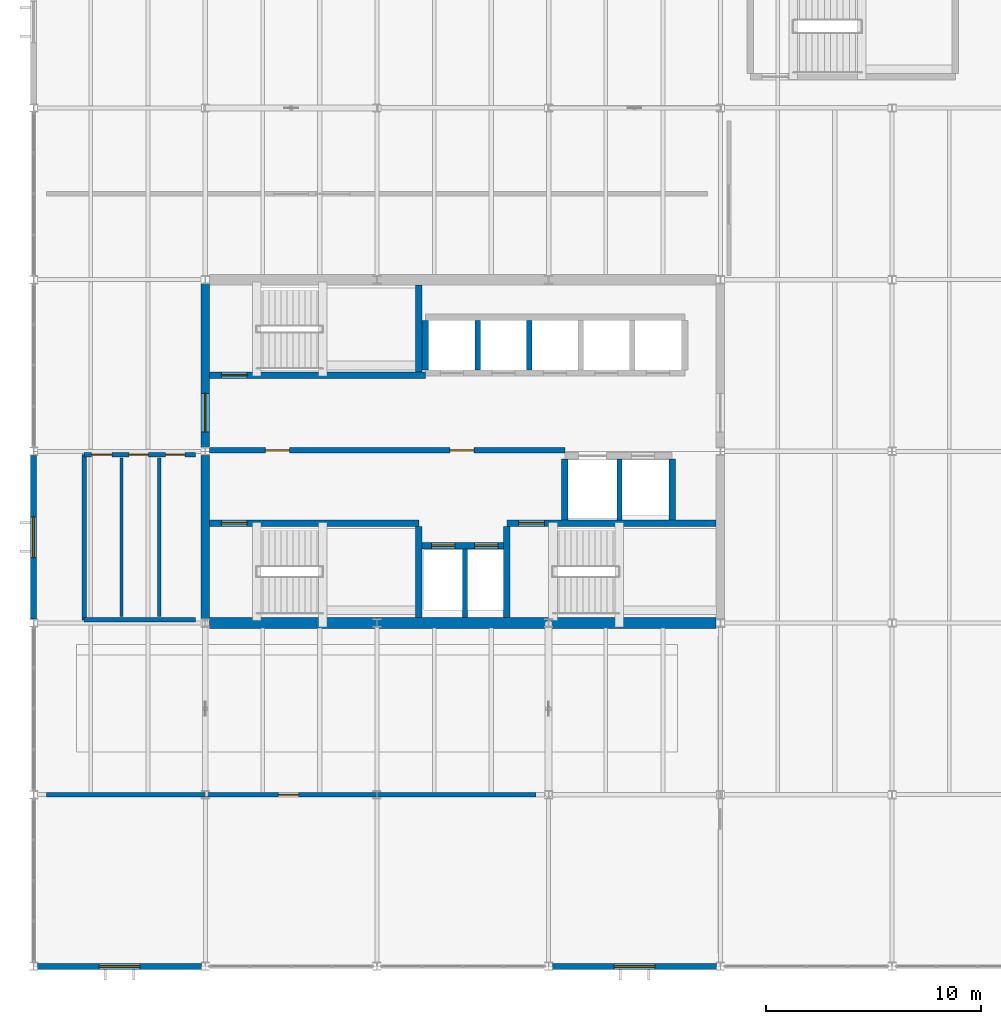
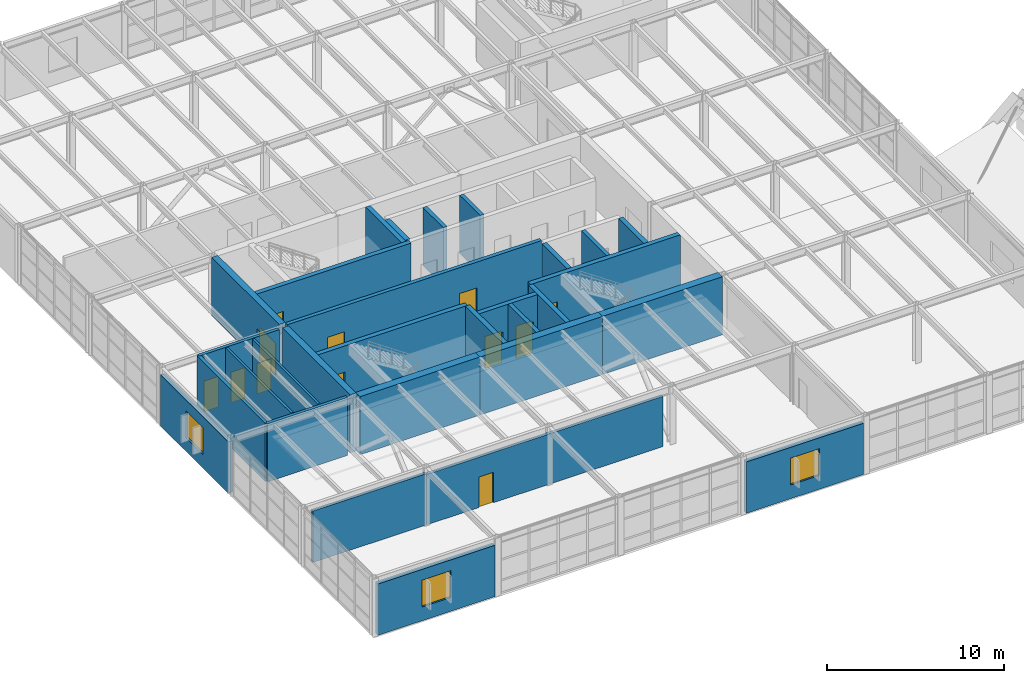
# One storey, part 42 of 50: 30 walls, 12 doors, 3 windows, 15 openings.
"""IFC4 building model written with IfcOpenShell, lengths in metres."""

from ifc_helpers import new_model, si_unit, direction, frame, frame_2d, origin, place, context, subcontext, project, spatial, rectangle, extrude, material, layer, layer_set, type_object, element, fill, save


model = new_model("IFC4")

# Units and contexts
model_context = context("Model", 3, precision=1e-05, world=origin(), true_north=direction((0.0, 1.0)))
body_context = subcontext(model_context, "Body", "Model", "MODEL_VIEW")
ifc_project = project(units=[si_unit("LENGTHUNIT", "METRE"), si_unit("AREAUNIT", "SQUARE_METRE"), si_unit("VOLUMEUNIT", "CUBIC_METRE"), si_unit("PLANEANGLEUNIT", "RADIAN"), si_unit("MASSUNIT", "GRAM", prefix="KILO")], contexts=[model_context])

# Site, building, storey
site_placement = place(None, origin())
site = spatial("IfcSite", under=ifc_project, at=site_placement, CompositionType="ELEMENT")
building_placement = place(site_placement, origin())
building = spatial("IfcBuilding", under=site, at=building_placement, Name="Varnela Railside Interchange", CompositionType="ELEMENT")
storey_placement = place(building_placement, frame((0.0, 0.0, 15.39990234375)))
storey = spatial("IfcBuildingStorey", under=building, at=storey_placement, Name="L03", CompositionType="ELEMENT", Elevation=15.39990234375)

# Walls
ifc_material_1 = material(Name="Gypsum acoustic board")
ifc_layer_1 = layer(ifc_material_1, 0.14990234375)
ifc_layer_set_1 = layer_set([ifc_layer_1], Name="Gypsum acoustic board")
wall_type_1 = type_object("IfcWallType", Name="Acoustic Drywall Partition IW-01", PredefinedType="PARTITIONING", material=ifc_layer_set_1)
for number, where, z_axis, x_axis, name in (
    (1, (8.10009765625, 54.300048828125, 0.0), (0.0, 0.0, 1.0), (0.0, 1.0, 0.0), "Acoustic Drywall Partition IW-01 (L03) (WL-0825)"),
    (2, (9.85009765625, 54.300048828125, 0.0), (0.0, 0.0, 1.0), (0.0, 1.0, 0.0), "Acoustic Drywall Partition IW-01 (L03) (WL-0826)"),
):
    element("IfcWall", number, at=place(storey_placement, frame(where, z_axis=z_axis, x_axis=x_axis)), inside=storey, type_object=wall_type_1, Name=name, PredefinedType="PARTITIONING", context=body_context, shape_type="SweptSolid", body=[
        extrude(rectangle(XDim=7.39990234375, YDim=0.14990234375, at=frame_2d((3.699951171875, 0.0))), origin(), (0.0, 0.0, 1.0), 4.0),
    ])
ifc_material_2 = material(Name="Concrete C50", Category="concrete")
ifc_layer_2 = layer(ifc_material_2, 0.39990234375)
ifc_layer_set_2 = layer_set([ifc_layer_2], Name="Concrete C50")
wall_type_2 = type_object("IfcWallType", Name="Core Coupling Shear Wall SW-02", PredefinedType="SHEAR", material=ifc_layer_set_2)
wall_1_placement = place(storey_placement, frame((12.0, 54.1875, 0.0), z_axis=(0.0, 0.0, 1.0), x_axis=(0.0, 1.0, 0.0)))
element("IfcWall", 3, at=wall_1_placement, inside=storey, type_object=wall_type_2, Name="Core Coupling Shear Wall SW-02 (L03) (WL-0787)", PredefinedType="SHEAR", context=body_context, shape_type="SweptSolid", body=[
    extrude(rectangle(XDim=7.625, YDim=0.39990234375, at=frame_2d((3.8125, 0.0))), origin(), (0.0, 0.0, 1.0), 4.0),
])

# Wall, opening, door
wall_2_placement = place(storey_placement, frame((12.0, 62.1875, 0.0), z_axis=(0.0, 0.0, 1.0), x_axis=(0.0, 1.0, 0.0)))
wall_2 = element("IfcWall", 4, at=wall_2_placement, inside=storey, type_object=wall_type_2, Name="Core Coupling Shear Wall SW-02 (L03) (WL-0788)", PredefinedType="SHEAR", context=body_context, shape_type="SweptSolid", body=[
    extrude(rectangle(XDim=7.625, YDim=0.39990234375, at=frame_2d((3.8125, 0.0))), origin(), (0.0, 0.0, 1.0), 4.0),
])
opening_1_placement = place(wall_2_placement, frame((0.7119140625, 0.0, 0.0)))
opening_1 = element("IfcOpeningElement", 5, at=opening_1_placement, cuts=wall_2, Name="Opening D-241", PredefinedType="OPENING", context=body_context, shape_type="SweptSolid", body=[
    extrude(rectangle(XDim=1.800048828125, YDim=2.199951171875, at=frame_2d((0.89990234375, 1.10009765625))), frame((0.0, 0.2099609375, 0.0), z_axis=(0.0, -1.0, 0.0), x_axis=(1.0, 0.0, 0.0)), (0.0, 0.0, 1.0), 0.419921875),
])
ifc_material_3 = material(Name="Steel AR 350 (350 MPa)", Category="steel")
door_type_1 = type_object("IfcDoorType", Name="DR-DBL-1800-FD60", OperationType="DOUBLE_DOOR_SINGLE_SWING", PredefinedType="DOOR", material=ifc_material_3)
door_1_placement = place(opening_1_placement, frame((1.800048828125, 0.0, 0.0), z_axis=(0.0, 0.0, 1.0), x_axis=(-1.0, 0.0, 0.0)))
door_1 = element("IfcDoor", 6, at=door_1_placement, inside=storey, type_object=door_type_1, Name="Door D-241", OperationType="DOUBLE_DOOR_SINGLE_SWING", OverallHeight=2.199951171875, OverallWidth=1.800048828125, PredefinedType="DOOR", context=body_context, shape_type="SweptSolid", body=[
    extrude(rectangle(XDim=1.800048828125, YDim=2.199951171875, at=frame_2d((0.89990234375, 1.10009765625))), frame((0.0, 0.02490234375, 0.0), z_axis=(0.0, -1.0, 0.0), x_axis=(1.0, 0.0, 0.0)), (0.0, 0.0, 1.0), 0.050048828125),
])
fill(opening_1, door_1)

# Walls
ifc_layer_3 = layer(ifc_material_2, 0.5)
ifc_layer_set_3 = layer_set([ifc_layer_3], Name="Concrete C50")
wall_type_3 = type_object("IfcWallType", Name="Core Primary Shear Wall SW-01", PredefinedType="SHEAR", material=ifc_layer_set_3)
wall_3_placement = place(storey_placement, frame((12.197021484375, 54.0, 0.0), z_axis=(0.0, 0.0, 1.0), x_axis=(1.0, 0.0, 0.0)))
element("IfcWall", 7, at=wall_3_placement, inside=storey, type_object=wall_type_3, Name="Core Primary Shear Wall SW-01 (L03) (WL-0778)", PredefinedType="SHEAR", context=body_context, shape_type="SweptSolid", body=[
    extrude(rectangle(XDim=7.802978515625, YDim=0.5, at=frame_2d((3.9013671875, 0.0))), origin(), (0.0, 0.0, 1.0), 4.0),
])
wall_4_placement = place(storey_placement, frame((20.0, 54.0, 0.0), z_axis=(0.0, 0.0, 1.0), x_axis=(1.0, 0.0, 0.0)))
element("IfcWall", 8, at=wall_4_placement, inside=storey, type_object=wall_type_3, Name="Core Primary Shear Wall SW-01 (L03) (WL-0779)", PredefinedType="SHEAR", context=body_context, shape_type="SweptSolid", body=[
    extrude(rectangle(XDim=8.0, YDim=0.5, at=frame_2d((4.0, 0.0))), origin(), (0.0, 0.0, 1.0), 4.0),
])
wall_5_placement = place(storey_placement, frame((28.0, 54.0, 0.0), z_axis=(0.0, 0.0, 1.0), x_axis=(1.0, 0.0, 0.0)))
element("IfcWall", 9, at=wall_5_placement, inside=storey, type_object=wall_type_3, Name="Core Primary Shear Wall SW-01 (L03) (WL-0780)", PredefinedType="SHEAR", context=body_context, shape_type="SweptSolid", body=[
    extrude(rectangle(XDim=7.802978515625, YDim=0.5, at=frame_2d((3.9013671875, 0.0))), origin(), (0.0, 0.0, 1.0), 4.0),
])
ifc_layer_4 = layer(ifc_material_1, 0.179931640625)
ifc_layer_set_4 = layer_set([ifc_layer_4], Name="Gypsum acoustic board")
wall_type_4 = type_object("IfcWallType", Name="Double-Stud Corridor Wall IW-02", PredefinedType="PARTITIONING", material=ifc_layer_set_4)
wall_6_placement = place(storey_placement, frame((4.60009765625, 46.0, 0.0), z_axis=(0.0, 0.0, 1.0), x_axis=(1.0, 0.0, 0.0)))
element("IfcWall", 10, at=wall_6_placement, inside=storey, type_object=wall_type_4, Name="Double-Stud Corridor Wall IW-02 (L03) (WL-0822)", PredefinedType="PARTITIONING", context=body_context, shape_type="SweptSolid", body=[
    extrude(rectangle(XDim=7.39990234375, YDim=0.199951171875, at=frame_2d((3.699951171875, 0.0))), origin(), (0.0, 0.0, 1.0), 3.5400390625),
])

# Wall, opening, door
wall_7_placement = place(storey_placement, frame((12.0, 46.0, 0.0), z_axis=(0.0, 0.0, 1.0), x_axis=(1.0, 0.0, 0.0)))
wall_7 = element("IfcWall", 11, at=wall_7_placement, inside=storey, type_object=wall_type_4, Name="Double-Stud Corridor Wall IW-02 (L03) (WL-0823)", PredefinedType="PARTITIONING", context=body_context, shape_type="SweptSolid", body=[
    extrude(rectangle(XDim=15.39990234375, YDim=0.199951171875, at=frame_2d((7.699951171875, 0.0))), origin(), (0.0, 0.0, 1.0), 3.467041015625),
])
opening_2_placement = place(wall_7_placement, frame((3.39990234375, 0.0, 0.0)))
opening_2 = element("IfcOpeningElement", 12, at=opening_2_placement, cuts=wall_7, Name="Opening D-256", PredefinedType="OPENING", context=body_context, shape_type="SweptSolid", body=[
    extrude(rectangle(XDim=0.949951171875, YDim=2.10009765625, at=frame_2d((0.47509765625, 1.050048828125))), frame((0.0, 0.10986328125, 0.0), z_axis=(0.0, -1.0, 0.0), x_axis=(1.0, 0.0, 0.0)), (0.0, 0.0, 1.0), 0.219970703125),
])
ifc_material_4 = material(Name="Timber solid core", Category="wood")
door_type_2 = type_object("IfcDoorType", Name="DR-SGL-950-ACC", OperationType="NOTDEFINED", PredefinedType="DOOR", material=ifc_material_4)
door_2_placement = place(opening_2_placement, origin())
door_2 = element("IfcDoor", 13, at=door_2_placement, inside=storey, type_object=door_type_2, Name="Door D-256", OperationType="SINGLE_SWING_LEFT", OverallHeight=2.10009765625, OverallWidth=0.949951171875, PredefinedType="DOOR", context=body_context, shape_type="SweptSolid", body=[
    extrude(rectangle(XDim=0.949951171875, YDim=2.10009765625, at=frame_2d((0.47509765625, 1.050048828125))), frame((0.0, 0.02490234375, 0.0), z_axis=(0.0, -1.0, 0.0), x_axis=(1.0, 0.0, 0.0)), (0.0, 0.0, 1.0), 0.050048828125),
])
fill(opening_2, door_2)

# Wall, opening, window
ifc_material_5 = material(Name="Concrete C40 precast", Category="concrete")
ifc_layer_5 = layer(ifc_material_5, 0.280029296875)
ifc_layer_set_5 = layer_set([ifc_layer_5], Name="Concrete C40 precast")
wall_type_5 = type_object("IfcWallType", Name="Ribbed Precast Concrete Facade Wall EW-02", PredefinedType="STANDARD", material=ifc_layer_set_5)
wall_8_placement = place(storey_placement, frame((35.8134765625, 38.0, 0.0), z_axis=(0.0, 0.0, 1.0), x_axis=(-1.0, 0.0, 0.0)))
wall_8 = element("IfcWall", 14, at=wall_8_placement, inside=storey, type_object=wall_type_5, Name="Ribbed Precast Concrete Facade Wall EW-02 (L03) (WL-0798)", PredefinedType="STANDARD", context=body_context, shape_type="SweptSolid", body=[
    extrude(rectangle(XDim=7.626953125, YDim=0.280029296875, at=frame_2d((3.8134765625, 0.0))), origin(), (0.0, 0.0, 1.0), 3.5400390625),
])
opening_3_placement = place(wall_8_placement, frame((2.863525390625, 0.0, 0.949951171875)))
opening_3 = element("IfcOpeningElement", 15, at=opening_3_placement, cuts=wall_8, Name="Opening W-098", PredefinedType="OPENING", context=body_context, shape_type="SweptSolid", body=[
    extrude(rectangle(XDim=1.89990234375, YDim=1.85009765625, at=frame_2d((0.949951171875, 0.925048828125))), frame((0.0, 0.14990234375, 0.0), z_axis=(0.0, -1.0, 0.0), x_axis=(1.0, 0.0, 0.0)), (0.0, 0.0, 1.0), 0.300048828125),
])
ifc_material_6 = material(Name="Glass laminated double", Category="glass")
window_type = type_object("IfcWindowType", Name="Canteen Deep-Set Window WN-11", PartitioningType="SINGLE_PANEL", PredefinedType="WINDOW", material=ifc_material_6)
window_1_placement = place(opening_3_placement, origin())
window_1 = element("IfcWindow", 16, at=window_1_placement, inside=storey, type_object=window_type, Name="Window W-098", OverallHeight=1.85009765625, OverallWidth=1.89990234375, PartitioningType="SINGLE_PANEL", PredefinedType="WINDOW", context=body_context, shape_type="SweptSolid", body=[
    extrude(rectangle(XDim=1.89990234375, YDim=1.85009765625, at=frame_2d((0.949951171875, 0.925048828125))), frame((0.0, 0.030029296875, 0.0), z_axis=(0.0, -1.0, 0.0), x_axis=(1.0, 0.0, 0.0)), (0.0, 0.0, 1.0), 0.06005859375),
])
fill(opening_3, window_1)

wall_9_placement = place(storey_placement, frame((11.8134765625, 38.0, 0.0), z_axis=(0.0, 0.0, 1.0), x_axis=(-1.0, 0.0, 0.0)))
wall_9 = element("IfcWall", 17, at=wall_9_placement, inside=storey, type_object=wall_type_5, Name="Ribbed Precast Concrete Facade Wall EW-02 (L03) (WL-0807)", PredefinedType="STANDARD", context=body_context, shape_type="SweptSolid", body=[
    extrude(rectangle(XDim=7.626953125, YDim=0.280029296875, at=frame_2d((3.8134765625, 0.0))), origin(), (0.0, 0.0, 1.0), 3.5400390625),
])
opening_4_placement = place(wall_9_placement, frame((2.863525390625, 0.0, 0.949951171875)))
opening_4 = element("IfcOpeningElement", 18, at=opening_4_placement, cuts=wall_9, Name="Opening W-099", PredefinedType="OPENING", context=body_context, shape_type="SweptSolid", body=[
    extrude(rectangle(XDim=1.89990234375, YDim=1.85009765625, at=frame_2d((0.949951171875, 0.925048828125))), frame((0.0, 0.14990234375, 0.0), z_axis=(0.0, -1.0, 0.0), x_axis=(1.0, 0.0, 0.0)), (0.0, 0.0, 1.0), 0.300048828125),
])
window_2_placement = place(opening_4_placement, origin())
window_2 = element("IfcWindow", 19, at=window_2_placement, inside=storey, type_object=window_type, Name="Window W-099", OverallHeight=1.85009765625, OverallWidth=1.89990234375, PartitioningType="SINGLE_PANEL", PredefinedType="WINDOW", context=body_context, shape_type="SweptSolid", body=[
    extrude(rectangle(XDim=1.89990234375, YDim=1.85009765625, at=frame_2d((0.949951171875, 0.925048828125))), frame((0.0, 0.030029296875, 0.0), z_axis=(0.0, -1.0, 0.0), x_axis=(1.0, 0.0, 0.0)), (0.0, 0.0, 1.0), 0.06005859375),
])
fill(opening_4, window_2)

wall_10_placement = place(storey_placement, frame((4.0, 54.18408203125, 0.0), z_axis=(0.0, 0.0, 1.0), x_axis=(0.0, 1.0, 0.0)))
wall_10 = element("IfcWall", 20, at=wall_10_placement, inside=storey, type_object=wall_type_5, Name="Ribbed Precast Concrete Facade Wall EW-02 (L03) (WL-0808)", PredefinedType="STANDARD", context=body_context, shape_type="SweptSolid", body=[
    extrude(rectangle(XDim=7.6318359375, YDim=0.280029296875, at=frame_2d((3.81591796875, 0.0))), origin(), (0.0, 0.0, 1.0), 3.5400390625),
])
opening_5_placement = place(wall_10_placement, frame((2.865966796875, 0.0, 0.949951171875)))
opening_5 = element("IfcOpeningElement", 21, at=opening_5_placement, cuts=wall_10, Name="Opening W-100", PredefinedType="OPENING", context=body_context, shape_type="SweptSolid", body=[
    extrude(rectangle(XDim=1.89990234375, YDim=1.85009765625, at=frame_2d((0.949951171875, 0.925048828125))), frame((0.0, 0.14990234375, 0.0), z_axis=(0.0, -1.0, 0.0), x_axis=(1.0, 0.0, 0.0)), (0.0, 0.0, 1.0), 0.300048828125),
])
window_3_placement = place(opening_5_placement, origin())
window_3 = element("IfcWindow", 22, at=window_3_placement, inside=storey, type_object=window_type, Name="Window W-100", OverallHeight=1.85009765625, OverallWidth=1.89990234375, PartitioningType="SINGLE_PANEL", PredefinedType="WINDOW", context=body_context, shape_type="SweptSolid", body=[
    extrude(rectangle(XDim=1.89990234375, YDim=1.85009765625, at=frame_2d((0.949951171875, 0.925048828125))), frame((0.0, 0.030029296875, 0.0), z_axis=(0.0, -1.0, 0.0), x_axis=(1.0, 0.0, 0.0)), (0.0, 0.0, 1.0), 0.06005859375),
])
fill(opening_5, window_3)

# Wall, openings, doors
ifc_material_7 = material(Name="Masonry concrete block", Category="masonry")
ifc_layer_6 = layer(ifc_material_7, 0.2099609375)
ifc_layer_set_6 = layer_set([ifc_layer_6], Name="Masonry concrete block")
wall_type_6 = type_object("IfcWallType", Name="Sanitary Plumbing Chase Wall IW-04", PredefinedType="PLUMBINGWALL", material=ifc_layer_set_6)
wall_11_placement = place(storey_placement, frame((6.35009765625, 61.85009765625, 0.0), z_axis=(0.0, 0.0, 1.0), x_axis=(1.0, 0.0, 0.0)))
wall_11 = element("IfcWall", 23, at=wall_11_placement, inside=storey, type_object=wall_type_6, Name="Sanitary Plumbing Chase Wall IW-04 (L03) (WL-0827)", PredefinedType="PLUMBINGWALL", context=body_context, shape_type="SweptSolid", body=[
    extrude(rectangle(XDim=5.199951171875, YDim=0.2099609375, at=frame_2d((2.60009765625, 0.0))), origin(), (0.0, 0.0, 1.0), 4.0),
])
opening_6_placement = place(wall_11_placement, frame((0.35009765625, 0.0, 0.0)))
opening_6 = element("IfcOpeningElement", 24, at=opening_6_placement, cuts=wall_11, Name="Opening D-246", PredefinedType="OPENING", context=body_context, shape_type="SweptSolid", body=[
    extrude(rectangle(XDim=0.949951171875, YDim=2.10009765625, at=frame_2d((0.47509765625, 1.050048828125))), frame((0.0, 0.114990234375, 0.0), z_axis=(0.0, -1.0, 0.0), x_axis=(1.0, 0.0, 0.0)), (0.0, 0.0, 1.0), 0.22998046875),
])
opening_7_placement = place(wall_11_placement, frame((2.10009765625, 0.0, 0.0)))
opening_7 = element("IfcOpeningElement", 25, at=opening_7_placement, cuts=wall_11, Name="Opening D-247", PredefinedType="OPENING", context=body_context, shape_type="SweptSolid", body=[
    extrude(rectangle(XDim=0.89990234375, YDim=2.10009765625, at=frame_2d((0.449951171875, 1.050048828125))), frame((0.0, 0.114990234375, 0.0), z_axis=(0.0, -1.0, 0.0), x_axis=(1.0, 0.0, 0.0)), (0.0, 0.0, 1.0), 0.22998046875),
])
opening_8_placement = place(wall_11_placement, frame((3.800048828125, 0.0, 0.0)))
opening_8 = element("IfcOpeningElement", 26, at=opening_8_placement, cuts=wall_11, Name="Opening D-248", PredefinedType="OPENING", context=body_context, shape_type="SweptSolid", body=[
    extrude(rectangle(XDim=0.89990234375, YDim=2.10009765625, at=frame_2d((0.449951171875, 1.050048828125))), frame((0.0, 0.114990234375, 0.0), z_axis=(0.0, -1.0, 0.0), x_axis=(1.0, 0.0, 0.0)), (0.0, 0.0, 1.0), 0.22998046875),
])
door_type_3 = type_object("IfcDoorType", Name="DR-SGL-900", OperationType="NOTDEFINED", PredefinedType="DOOR", material=ifc_material_4)
door_3_placement = place(opening_7_placement, origin())
door_3 = element("IfcDoor", 27, at=door_3_placement, inside=storey, type_object=door_type_3, Name="Door D-247", OperationType="SINGLE_SWING_LEFT", OverallHeight=2.10009765625, OverallWidth=0.89990234375, PredefinedType="DOOR", context=body_context, shape_type="SweptSolid", body=[
    extrude(rectangle(XDim=0.89990234375, YDim=2.10009765625, at=frame_2d((0.449951171875, 1.050048828125))), frame((0.0, 0.02490234375, 0.0), z_axis=(0.0, -1.0, 0.0), x_axis=(1.0, 0.0, 0.0)), (0.0, 0.0, 1.0), 0.050048828125),
])
fill(opening_7, door_3)
door_4_placement = place(opening_8_placement, origin())
door_4 = element("IfcDoor", 28, at=door_4_placement, inside=storey, type_object=door_type_3, Name="Door D-248", OperationType="SINGLE_SWING_RIGHT", OverallHeight=2.10009765625, OverallWidth=0.89990234375, PredefinedType="DOOR", context=body_context, shape_type="SweptSolid", body=[
    extrude(rectangle(XDim=0.89990234375, YDim=2.10009765625, at=frame_2d((0.449951171875, 1.050048828125))), frame((0.0, 0.02490234375, 0.0), z_axis=(0.0, -1.0, 0.0), x_axis=(1.0, 0.0, 0.0)), (0.0, 0.0, 1.0), 0.050048828125),
])
fill(opening_8, door_4)
door_5_placement = place(opening_6_placement, origin())
door_5 = element("IfcDoor", 29, at=door_5_placement, inside=storey, type_object=door_type_2, Name="Door D-246", OperationType="SINGLE_SWING_RIGHT", OverallHeight=2.10009765625, OverallWidth=0.949951171875, PredefinedType="DOOR", context=body_context, shape_type="SweptSolid", body=[
    extrude(rectangle(XDim=0.949951171875, YDim=2.10009765625, at=frame_2d((0.47509765625, 1.050048828125))), frame((0.0, 0.02490234375, 0.0), z_axis=(0.0, -1.0, 0.0), x_axis=(1.0, 0.0, 0.0)), (0.0, 0.0, 1.0), 0.050048828125),
])
fill(opening_6, door_5)

# Walls
wall_12_placement = place(storey_placement, frame((6.35009765625, 54.14990234375, 0.0), z_axis=(0.0, 0.0, 1.0), x_axis=(1.0, 0.0, 0.0)))
element("IfcWall", 30, at=wall_12_placement, inside=storey, type_object=wall_type_6, Name="Sanitary Plumbing Chase Wall IW-04 (L03) (WL-0828)", PredefinedType="PLUMBINGWALL", context=body_context, shape_type="SweptSolid", body=[
    extrude(rectangle(XDim=5.199951171875, YDim=0.2099609375, at=frame_2d((2.60009765625, 0.0))), origin(), (0.0, 0.0, 1.0), 4.0),
])
wall_13_placement = place(storey_placement, frame((6.35009765625, 54.14990234375, 0.0), z_axis=(0.0, 0.0, 1.0), x_axis=(0.0, 1.0, 0.0)))
element("IfcWall", 31, at=wall_13_placement, inside=storey, type_object=wall_type_6, Name="Sanitary Plumbing Chase Wall IW-04 (L03) (WL-0829)", PredefinedType="PLUMBINGWALL", context=body_context, shape_type="SweptSolid", body=[
    extrude(rectangle(XDim=7.7001953125, YDim=0.2099609375, at=frame_2d((3.85009765625, 0.0))), origin(), (0.0, 0.0, 1.0), 4.0),
])

# Wall, opening, door
ifc_layer_7 = layer(ifc_material_2, 0.300048828125)
ifc_layer_set_7 = layer_set([ifc_layer_7], Name="Concrete C50")
wall_type_7 = type_object("IfcWallType", Name="Stair & Lift Shaft Wall SW-03", PredefinedType="SHEAR", material=ifc_layer_set_7)
wall_14_placement = place(storey_placement, frame((12.199951171875, 58.64990234375, 0.0), z_axis=(0.0, 0.0, 1.0), x_axis=(1.0, 0.0, 0.0)))
wall_14 = element("IfcWall", 32, at=wall_14_placement, inside=storey, type_object=wall_type_7, Name="Stair & Lift Shaft Wall SW-03 (L03) (WL-0782)", PredefinedType="SHEAR", context=body_context, shape_type="SweptSolid", body=[
    extrude(rectangle(XDim=9.75, YDim=0.300048828125, at=frame_2d((4.875, 0.0))), origin(), (0.0, 0.0, 1.0), 4.0),
])
opening_9_placement = place(wall_14_placement, frame((0.550048828125, 0.0, 0.0)))
opening_9 = element("IfcOpeningElement", 33, at=opening_9_placement, cuts=wall_14, Name="Opening D-236", PredefinedType="OPENING", context=body_context, shape_type="SweptSolid", body=[
    extrude(rectangle(XDim=1.199951171875, YDim=2.199951171875, at=frame_2d((0.60009765625, 1.10009765625))), frame((0.0, 0.159912109375, 0.0), z_axis=(0.0, -1.0, 0.0), x_axis=(1.0, 0.0, 0.0)), (0.0, 0.0, 1.0), 0.320068359375),
])
door_type_4 = type_object("IfcDoorType", Name="DR-SGL-1200-FD90", OperationType="NOTDEFINED", PredefinedType="DOOR", material=ifc_material_3)
door_6_placement = place(opening_9_placement, frame((1.199951171875, 0.0, 0.0), z_axis=(0.0, 0.0, 1.0), x_axis=(-1.0, 0.0, 0.0)))
door_6 = element("IfcDoor", 34, at=door_6_placement, inside=storey, type_object=door_type_4, Name="Door D-236", OperationType="SINGLE_SWING_RIGHT", OverallHeight=2.199951171875, OverallWidth=1.199951171875, PredefinedType="DOOR", context=body_context, shape_type="SweptSolid", body=[
    extrude(rectangle(XDim=1.199951171875, YDim=2.199951171875, at=frame_2d((0.60009765625, 1.10009765625))), frame((0.0, 0.02490234375, 0.0), z_axis=(0.0, -1.0, 0.0), x_axis=(1.0, 0.0, 0.0)), (0.0, 0.0, 1.0), 0.050048828125),
])
fill(opening_9, door_6)

# Wall
wall_15_placement = place(storey_placement, frame((21.949951171875, 54.25, 0.0), z_axis=(0.0, 0.0, 1.0), x_axis=(0.0, 1.0, 0.0)))
element("IfcWall", 35, at=wall_15_placement, inside=storey, type_object=wall_type_7, Name="Stair & Lift Shaft Wall SW-03 (L03) (WL-0781)", PredefinedType="SHEAR", context=body_context, shape_type="SweptSolid", body=[
    extrude(rectangle(XDim=4.25, YDim=0.300048828125, at=frame_2d((2.125, 0.0))), origin(), (0.0, 0.0, 1.0), 4.0),
])

# Wall, opening, door
wall_16_placement = place(storey_placement, frame((26.050048828125, 58.64990234375, 0.0), z_axis=(0.0, 0.0, 1.0), x_axis=(1.0, 0.0, 0.0)))
wall_16 = element("IfcWall", 36, at=wall_16_placement, inside=storey, type_object=wall_type_7, Name="Stair & Lift Shaft Wall SW-03 (L03) (WL-0783)", PredefinedType="SHEAR", context=body_context, shape_type="SweptSolid", body=[
    extrude(rectangle(XDim=9.75, YDim=0.300048828125, at=frame_2d((4.875, 0.0))), origin(), (0.0, 0.0, 1.0), 4.0),
])
opening_10_placement = place(wall_16_placement, frame((0.550048828125, 0.0, 0.0)))
opening_10 = element("IfcOpeningElement", 37, at=opening_10_placement, cuts=wall_16, Name="Opening D-237", PredefinedType="OPENING", context=body_context, shape_type="SweptSolid", body=[
    extrude(rectangle(XDim=1.199951171875, YDim=2.199951171875, at=frame_2d((0.60009765625, 1.10009765625))), frame((0.0, 0.159912109375, 0.0), z_axis=(0.0, -1.0, 0.0), x_axis=(1.0, 0.0, 0.0)), (0.0, 0.0, 1.0), 0.320068359375),
])
door_7_placement = place(opening_10_placement, frame((1.199951171875, 0.0, 0.0), z_axis=(0.0, 0.0, 1.0), x_axis=(-1.0, 0.0, 0.0)))
door_7 = element("IfcDoor", 38, at=door_7_placement, inside=storey, type_object=door_type_4, Name="Door D-237", OperationType="SINGLE_SWING_LEFT", OverallHeight=2.199951171875, OverallWidth=1.199951171875, PredefinedType="DOOR", context=body_context, shape_type="SweptSolid", body=[
    extrude(rectangle(XDim=1.199951171875, YDim=2.199951171875, at=frame_2d((0.60009765625, 1.10009765625))), frame((0.0, 0.02490234375, 0.0), z_axis=(0.0, -1.0, 0.0), x_axis=(1.0, 0.0, 0.0)), (0.0, 0.0, 1.0), 0.050048828125),
])
fill(opening_10, door_7)

# Wall
wall_17_placement = place(storey_placement, frame((26.050048828125, 54.25, 0.0), z_axis=(0.0, 0.0, 1.0), x_axis=(0.0, 1.0, 0.0)))
element("IfcWall", 39, at=wall_17_placement, inside=storey, type_object=wall_type_7, Name="Stair & Lift Shaft Wall SW-03 (L03) (WL-0784)", PredefinedType="SHEAR", context=body_context, shape_type="SweptSolid", body=[
    extrude(rectangle(XDim=4.25, YDim=0.300048828125, at=frame_2d((2.125, 0.0))), origin(), (0.0, 0.0, 1.0), 4.0),
])

# Wall, openings, doors
wall_18_placement = place(storey_placement, frame((22.10009765625, 57.60009765625, 0.0), z_axis=(0.0, 0.0, 1.0), x_axis=(1.0, 0.0, 0.0)))
wall_18 = element("IfcWall", 40, at=wall_18_placement, inside=storey, type_object=wall_type_7, Name="Stair & Lift Shaft Wall SW-03 (L03) (WL-0762)", PredefinedType="SHEAR", context=body_context, shape_type="SweptSolid", body=[
    extrude(rectangle(XDim=3.949951171875, YDim=0.300048828125, at=frame_2d((1.97509765625, 0.0))), origin(), (0.0, 0.0, 1.0), 4.0),
])
opening_11_placement = place(wall_18_placement, frame((0.449951171875, 0.0, 0.0)))
opening_11 = element("IfcOpeningElement", 41, at=opening_11_placement, cuts=wall_18, Name="Opening LD-055", PredefinedType="OPENING", context=body_context, shape_type="SweptSolid", body=[
    extrude(rectangle(XDim=1.080078125, YDim=2.199951171875, at=frame_2d((0.5400390625, 1.10009765625))), frame((0.0, 0.159912109375, 0.0), z_axis=(0.0, -1.0, 0.0), x_axis=(1.0, 0.0, 0.0)), (0.0, 0.0, 1.0), 0.320068359375),
])
opening_12_placement = place(wall_18_placement, frame((2.449951171875, 0.0, 0.0)))
opening_12 = element("IfcOpeningElement", 42, at=opening_12_placement, cuts=wall_18, Name="Opening LD-056", PredefinedType="OPENING", context=body_context, shape_type="SweptSolid", body=[
    extrude(rectangle(XDim=1.080078125, YDim=2.199951171875, at=frame_2d((0.5400390625, 1.10009765625))), frame((0.0, 0.159912109375, 0.0), z_axis=(0.0, -1.0, 0.0), x_axis=(1.0, 0.0, 0.0)), (0.0, 0.0, 1.0), 0.320068359375),
])
door_type_5 = type_object("IfcDoorType", Name="DR-LIFT-1080", OperationType="SLIDING_TO_LEFT", PredefinedType="DOOR", material=ifc_material_3)
door_8_placement = place(opening_11_placement, origin())
door_8 = element("IfcDoor", 43, at=door_8_placement, inside=storey, type_object=door_type_5, Name="Door LD-055", OperationType="SLIDING_TO_LEFT", OverallHeight=2.199951171875, OverallWidth=1.080078125, PredefinedType="DOOR", context=body_context, shape_type="SweptSolid", body=[
    extrude(rectangle(XDim=1.080078125, YDim=2.199951171875, at=frame_2d((0.5400390625, 1.10009765625))), frame((0.0, 0.02490234375, 0.0), z_axis=(0.0, -1.0, 0.0), x_axis=(1.0, 0.0, 0.0)), (0.0, 0.0, 1.0), 0.050048828125),
])
fill(opening_11, door_8)
door_9_placement = place(opening_12_placement, origin())
door_9 = element("IfcDoor", 44, at=door_9_placement, inside=storey, type_object=door_type_5, Name="Door LD-056", OperationType="SLIDING_TO_LEFT", OverallHeight=2.199951171875, OverallWidth=1.080078125, PredefinedType="DOOR", context=body_context, shape_type="SweptSolid", body=[
    extrude(rectangle(XDim=1.080078125, YDim=2.199951171875, at=frame_2d((0.5400390625, 1.10009765625))), frame((0.0, 0.02490234375, 0.0), z_axis=(0.0, -1.0, 0.0), x_axis=(1.0, 0.0, 0.0)), (0.0, 0.0, 1.0), 0.050048828125),
])
fill(opening_12, door_9)

# Walls
wall_19_placement = place(storey_placement, frame((24.10009765625, 54.25, 0.0), z_axis=(0.0, 0.0, 1.0), x_axis=(0.0, 1.0, 0.0)))
element("IfcWall", 45, at=wall_19_placement, inside=storey, type_object=wall_type_7, Name="Stair & Lift Shaft Wall SW-03 (L03) (WL-0761)", PredefinedType="SHEAR", context=body_context, shape_type="SweptSolid", body=[
    extrude(rectangle(XDim=3.199951171875, YDim=0.25, at=frame_2d((1.60009765625, 0.0))), origin(), (0.0, 0.0, 1.0), 4.0),
])
for number, where, z_axis, x_axis, name in (
    (46, (28.75, 58.800048828125, 0.0), (0.0, 0.0, 1.0), (0.0, 1.0, 0.0), "Stair & Lift Shaft Wall SW-03 (L03) (WL-0766)"),
    (47, (33.75, 58.800048828125, 0.0), (0.0, 0.0, 1.0), (0.0, 1.0, 0.0), "Stair & Lift Shaft Wall SW-03 (L03) (WL-0764)"),
):
    element("IfcWall", number, at=place(storey_placement, frame(where, z_axis=z_axis, x_axis=x_axis)), inside=storey, type_object=wall_type_7, Name=name, PredefinedType="SHEAR", context=body_context, shape_type="SweptSolid", body=[
        extrude(rectangle(XDim=2.849853515625, YDim=0.300048828125, at=frame_2d((1.4248046875, 0.0))), origin(), (0.0, 0.0, 1.0), 4.0),
    ])
wall_20_placement = place(storey_placement, frame((31.300048828125, 58.800048828125, 0.0), z_axis=(0.0, 0.0, 1.0), x_axis=(0.0, 1.0, 0.0)))
element("IfcWall", 48, at=wall_20_placement, inside=storey, type_object=wall_type_7, Name="Stair & Lift Shaft Wall SW-03 (L03) (WL-0763)", PredefinedType="SHEAR", context=body_context, shape_type="SweptSolid", body=[
    extrude(rectangle(XDim=2.849853515625, YDim=0.25, at=frame_2d((1.4248046875, 0.0))), origin(), (0.0, 0.0, 1.0), 4.0),
])

# Wall, openings, doors
wall_21_placement = place(storey_placement, frame((12.199951171875, 62.050048828125, 0.0), z_axis=(0.0, 0.0, 1.0), x_axis=(1.0, 0.0, 0.0)))
wall_21 = element("IfcWall", 49, at=wall_21_placement, inside=storey, type_object=wall_type_7, Name="Stair & Lift Shaft Wall SW-03 (L03) (WL-0760)", PredefinedType="SHEAR", context=body_context, shape_type="SweptSolid", body=[
    extrude(rectangle(XDim=16.550048828125, YDim=0.25, at=frame_2d((8.27490234375, 0.0))), origin(), (0.0, 0.0, 1.0), 4.0),
])
opening_13_placement = place(wall_21_placement, frame((2.60009765625, 0.0, 0.0)))
opening_13 = element("IfcOpeningElement", 50, at=opening_13_placement, cuts=wall_21, Name="Opening D-239", PredefinedType="OPENING", context=body_context, shape_type="SweptSolid", body=[
    extrude(rectangle(XDim=1.1201171875, YDim=2.219970703125, at=frame_2d((0.56005859375, 1.10986328125))), frame((0.0, 0.135009765625, 0.0), z_axis=(0.0, -1.0, 0.0), x_axis=(1.0, 0.0, 0.0)), (0.0, 0.0, 1.0), 0.27001953125),
])
opening_14_placement = place(wall_21_placement, frame((11.199951171875, 0.0, 0.0)))
opening_14 = element("IfcOpeningElement", 51, at=opening_14_placement, cuts=wall_21, Name="Opening D-240", PredefinedType="OPENING", context=body_context, shape_type="SweptSolid", body=[
    extrude(rectangle(XDim=1.1201171875, YDim=2.219970703125, at=frame_2d((0.56005859375, 1.10986328125))), frame((0.0, 0.135009765625, 0.0), z_axis=(0.0, -1.0, 0.0), x_axis=(1.0, 0.0, 0.0)), (0.0, 0.0, 1.0), 0.27001953125),
])
door_type_6 = type_object("IfcDoorType", Name="DR-SGL-1120-FD90", OperationType="NOTDEFINED", PredefinedType="DOOR", material=ifc_material_3)
door_10_placement = place(opening_13_placement, frame((1.1201171875, 0.0, 0.0), z_axis=(0.0, 0.0, 1.0), x_axis=(-1.0, 0.0, 0.0)))
door_10 = element("IfcDoor", 52, at=door_10_placement, inside=storey, type_object=door_type_6, Name="Door D-239", OperationType="SINGLE_SWING_LEFT", OverallHeight=2.219970703125, OverallWidth=1.1201171875, PredefinedType="DOOR", context=body_context, shape_type="SweptSolid", body=[
    extrude(rectangle(XDim=1.1201171875, YDim=2.219970703125, at=frame_2d((0.56005859375, 1.10986328125))), frame((0.0, 0.02490234375, 0.0), z_axis=(0.0, -1.0, 0.0), x_axis=(1.0, 0.0, 0.0)), (0.0, 0.0, 1.0), 0.050048828125),
])
fill(opening_13, door_10)
door_11_placement = place(opening_14_placement, frame((1.1201171875, 0.0, 0.0), z_axis=(0.0, 0.0, 1.0), x_axis=(-1.0, 0.0, 0.0)))
door_11 = element("IfcDoor", 53, at=door_11_placement, inside=storey, type_object=door_type_6, Name="Door D-240", OperationType="SINGLE_SWING_RIGHT", OverallHeight=2.219970703125, OverallWidth=1.1201171875, PredefinedType="DOOR", context=body_context, shape_type="SweptSolid", body=[
    extrude(rectangle(XDim=1.1201171875, YDim=2.219970703125, at=frame_2d((0.56005859375, 1.10986328125))), frame((0.0, 0.02490234375, 0.0), z_axis=(0.0, -1.0, 0.0), x_axis=(1.0, 0.0, 0.0)), (0.0, 0.0, 1.0), 0.050048828125),
])
fill(opening_14, door_11)

# Wall, opening, door
wall_22_placement = place(storey_placement, frame((12.199951171875, 65.550048828125, 0.0), z_axis=(0.0, 0.0, 1.0), x_axis=(1.0, 0.0, 0.0)))
wall_22 = element("IfcWall", 54, at=wall_22_placement, inside=storey, type_object=wall_type_7, Name="Stair & Lift Shaft Wall SW-03 (L03) (WL-0786)", PredefinedType="SHEAR", context=body_context, shape_type="SweptSolid", body=[
    extrude(rectangle(XDim=10.050048828125, YDim=0.300048828125, at=frame_2d((5.02490234375, 0.0))), origin(), (0.0, 0.0, 1.0), 4.0),
])
opening_15_placement = place(wall_22_placement, frame((0.550048828125, 0.0, 0.0)))
opening_15 = element("IfcOpeningElement", 55, at=opening_15_placement, cuts=wall_22, Name="Opening D-238", PredefinedType="OPENING", context=body_context, shape_type="SweptSolid", body=[
    extrude(rectangle(XDim=1.199951171875, YDim=2.199951171875, at=frame_2d((0.60009765625, 1.10009765625))), frame((0.0, 0.159912109375, 0.0), z_axis=(0.0, -1.0, 0.0), x_axis=(1.0, 0.0, 0.0)), (0.0, 0.0, 1.0), 0.320068359375),
])
door_12_placement = place(opening_15_placement, origin())
door_12 = element("IfcDoor", 56, at=door_12_placement, inside=storey, type_object=door_type_4, Name="Door D-238", OperationType="SINGLE_SWING_RIGHT", OverallHeight=2.199951171875, OverallWidth=1.199951171875, PredefinedType="DOOR", context=body_context, shape_type="SweptSolid", body=[
    extrude(rectangle(XDim=1.199951171875, YDim=2.199951171875, at=frame_2d((0.60009765625, 1.10009765625))), frame((0.0, 0.02490234375, 0.0), z_axis=(0.0, -1.0, 0.0), x_axis=(1.0, 0.0, 0.0)), (0.0, 0.0, 1.0), 0.050048828125),
])
fill(opening_15, door_12)

# Walls
wall_23_placement = place(storey_placement, frame((21.949951171875, 65.699951171875, 0.0), z_axis=(0.0, 0.0, 1.0), x_axis=(0.0, 1.0, 0.0)))
element("IfcWall", 57, at=wall_23_placement, inside=storey, type_object=wall_type_7, Name="Stair & Lift Shaft Wall SW-03 (L03) (WL-0785)", PredefinedType="SHEAR", context=body_context, shape_type="SweptSolid", body=[
    extrude(rectangle(XDim=4.050048828125, YDim=0.300048828125, at=frame_2d((2.02490234375, 0.0))), origin(), (0.0, 0.0, 1.0), 4.0),
])
wall_24_placement = place(storey_placement, frame((22.25, 65.800048828125, 0.0), z_axis=(0.0, 0.0, 1.0), x_axis=(0.0, 1.0, 0.0)))
element("IfcWall", 58, at=wall_24_placement, inside=storey, type_object=wall_type_7, Name="Stair & Lift Shaft Wall SW-03 (L03) (WL-0774)", PredefinedType="SHEAR", context=body_context, shape_type="SweptSolid", body=[
    extrude(rectangle(XDim=2.300048828125, YDim=0.300048828125, at=frame_2d((1.14990234375, 0.0))), origin(), (0.0, 0.0, 1.0), 4.0),
])
for number, where, z_axis, x_axis, name in (
    (59, (24.699951171875, 65.800048828125, 0.0), (0.0, 0.0, 1.0), (0.0, 1.0, 0.0), "Stair & Lift Shaft Wall SW-03 (L03) (WL-0767)"),
    (60, (27.10009765625, 65.800048828125, 0.0), (0.0, 0.0, 1.0), (0.0, 1.0, 0.0), "Stair & Lift Shaft Wall SW-03 (L03) (WL-0768)"),
):
    element("IfcWall", number, at=place(storey_placement, frame(where, z_axis=z_axis, x_axis=x_axis)), inside=storey, type_object=wall_type_7, Name=name, PredefinedType="SHEAR", context=body_context, shape_type="SweptSolid", body=[
        extrude(rectangle(XDim=2.300048828125, YDim=0.25, at=frame_2d((1.14990234375, 0.0))), origin(), (0.0, 0.0, 1.0), 4.0),
    ])

save(model, "model.ifc")
